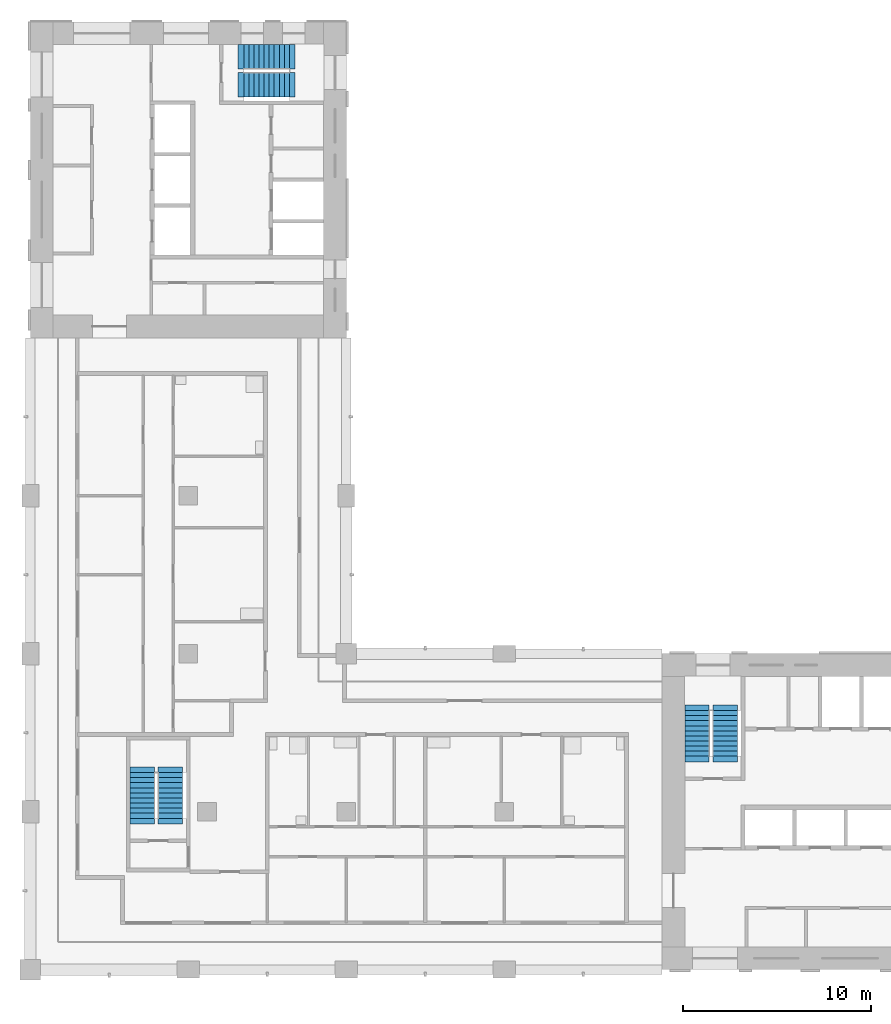
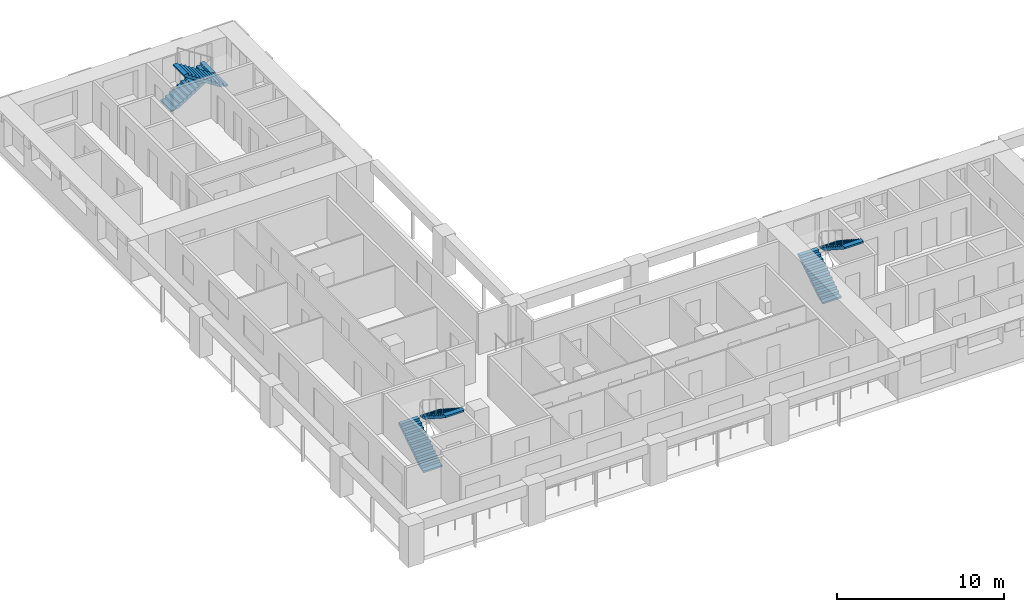
# One storey, part 7 of 11: 6 stair flights, 3 elements without a shape of their own.
"""IFC4 building model written with IfcOpenShell, lengths in metres."""

from ifc_helpers import new_model, si_unit, direction, frame, origin, place, context, subcontext, project, spatial, polyline, outline, extrude, material, type_object, element, aggregate, save


model = new_model("IFC4")

# Units and contexts
model_context = context("Model", 3, precision=1e-05, world=origin(), true_north=direction((0.0, 1.0)))
body_context = subcontext(model_context, "Body", "Model", "MODEL_VIEW")
ifc_project = project(units=[si_unit("LENGTHUNIT", "METRE"), si_unit("AREAUNIT", "SQUARE_METRE"), si_unit("VOLUMEUNIT", "CUBIC_METRE"), si_unit("PLANEANGLEUNIT", "RADIAN"), si_unit("MASSUNIT", "GRAM", prefix="KILO")], contexts=[model_context])

# Site, building, storey
site_placement = place(None, origin())
site = spatial("IfcSite", under=ifc_project, at=site_placement, CompositionType="ELEMENT")
building_placement = place(site_placement, origin())
building = spatial("IfcBuilding", under=site, at=building_placement, Name="Vermilion Gate Residences", CompositionType="ELEMENT")
storey_placement = place(building_placement, frame((0.0, 0.0, 203.699951171875)))
storey = spatial("IfcBuildingStorey", under=building, at=storey_placement, Name="L53", CompositionType="ELEMENT", Elevation=203.699951171875)

# Stair, stair flights
ifc_material_1 = material(Name="Concrete C50", Category="concrete")
stair_type = type_object("IfcStairType", Name="SPECIAL ESCAPE STAIR 1300", PredefinedType="HALF_TURN_STAIR", material=ifc_material_1)
stair_1_placement = place(storey_placement, origin())
stair_1 = element("IfcStair", 1, at=stair_1_placement, inside=storey, type_object=stair_type, Name="Special escape stair STA1-53", PredefinedType="HALF_TURN_STAIR")
ifc_material_2 = material(Name="Concrete C50", Category="concrete")
stair_flight_type = type_object("IfcStairFlightType", Name="STAIR FLIGHT 1300 RC C50", PredefinedType="STRAIGHT", material=ifc_material_2)
stair_flight_1_placement = place(storey_placement, frame((43.85009765625, 19.75, 0.0), z_axis=(0.0, 0.0, 1.0), x_axis=(0.0, 1.0, 0.0)))
stair_flight_1 = element("IfcStairFlight", 2, at=stair_flight_1_placement, type_object=stair_flight_type, Name="STA1-53 flight 1", NumberOfRisers=10, NumberOfTreads=9, PredefinedType="STRAIGHT", RiserHeight=0.175, TreadLength=0.27, context=body_context, shape_type="SweptSolid", body=[
    extrude(outline(polyline([(-0.300048828125, -0.14990234375), (-0.300048828125, -0.030029296875), (0.0, 0.0), (0.0, 0.175048828125), (0.27001953125, 0.175048828125), (0.27001953125, 0.35009765625), (0.5400390625, 0.35009765625), (0.5400390625, 0.52490234375), (0.81005859375, 0.52490234375), (0.81005859375, 0.699951171875), (1.080078125, 0.699951171875), (1.080078125, 0.875), (1.35009765625, 0.875), (1.35009765625, 1.050048828125), (1.6201171875, 1.050048828125), (1.6201171875, 1.22509765625), (1.889892578125, 1.22509765625), (1.889892578125, 1.39990234375), (2.159912109375, 1.39990234375), (2.159912109375, 1.574951171875), (2.429931640625, 1.574951171875), (2.429931640625, 1.75), (2.72998046875, 1.719970703125), (2.72998046875, 1.60009765625), (2.429931640625, 1.396484375), (0.275634765625, 0.0), (-0.300048828125, -0.14990234375)])), frame((0.0, 0.64990234375, 0.0), z_axis=(0.0, -1.0, 0.0), x_axis=(1.0, 0.0, 0.0)), (0.0, 0.0, 1.0), 1.300048828125),
])
stair_flight_2_placement = place(storey_placement, frame((45.35009765625, 22.179931640625, 1.75), z_axis=(0.0, 0.0, 1.0), x_axis=(0.0, -1.0, 0.0)))
stair_flight_2 = element("IfcStairFlight", 3, at=stair_flight_2_placement, type_object=stair_flight_type, Name="STA1-53 flight 2", NumberOfRisers=10, NumberOfTreads=9, PredefinedType="STRAIGHT", RiserHeight=0.175, TreadLength=0.27, context=body_context, shape_type="SweptSolid", body=[
    extrude(outline(polyline([(-0.300048828125, -0.14990234375), (-0.300048828125, -0.030029296875), (0.0, 0.0), (0.0, 0.175048828125), (0.27001953125, 0.175048828125), (0.27001953125, 0.35009765625), (0.5400390625, 0.35009765625), (0.5400390625, 0.52490234375), (0.81005859375, 0.52490234375), (0.81005859375, 0.699951171875), (1.080078125, 0.699951171875), (1.080078125, 0.875), (1.35009765625, 0.875), (1.35009765625, 1.050048828125), (1.6201171875, 1.050048828125), (1.6201171875, 1.22509765625), (1.889892578125, 1.22509765625), (1.889892578125, 1.39990234375), (2.159912109375, 1.39990234375), (2.159912109375, 1.574951171875), (2.429931640625, 1.574951171875), (2.429931640625, 1.75), (2.72998046875, 1.719970703125), (2.72998046875, 1.60009765625), (2.429931640625, 1.396484375), (0.275634765625, 0.0), (-0.300048828125, -0.14990234375)])), frame((0.0, 0.64990234375, 0.0), z_axis=(0.0, -1.0, 0.0), x_axis=(1.0, 0.0, 0.0)), (0.0, 0.0, 1.0), 1.300048828125),
])
aggregate(stair_1, [stair_flight_1, stair_flight_2])

stair_2_placement = place(storey_placement, origin())
stair_2 = element("IfcStair", 4, at=stair_2_placement, inside=storey, type_object=stair_type, Name="Special escape stair STB1-53", PredefinedType="HALF_TURN_STAIR")
stair_flight_3_placement = place(storey_placement, frame((19.75, 56.949951171875, 0.0), z_axis=(0.0, 0.0, 1.0), x_axis=(1.0, 0.0, 0.0)))
stair_flight_3 = element("IfcStairFlight", 5, at=stair_flight_3_placement, type_object=stair_flight_type, Name="STB1-53 flight 1", NumberOfRisers=10, NumberOfTreads=9, PredefinedType="STRAIGHT", RiserHeight=0.175, TreadLength=0.27, context=body_context, shape_type="SweptSolid", body=[
    extrude(outline(polyline([(-0.300048828125, -0.14990234375), (-0.300048828125, -0.030029296875), (0.0, 0.0), (0.0, 0.175048828125), (0.27001953125, 0.175048828125), (0.27001953125, 0.35009765625), (0.5400390625, 0.35009765625), (0.5400390625, 0.52490234375), (0.81005859375, 0.52490234375), (0.81005859375, 0.699951171875), (1.080078125, 0.699951171875), (1.080078125, 0.875), (1.35009765625, 0.875), (1.35009765625, 1.050048828125), (1.6201171875, 1.050048828125), (1.6201171875, 1.22509765625), (1.889892578125, 1.22509765625), (1.889892578125, 1.39990234375), (2.159912109375, 1.39990234375), (2.159912109375, 1.574951171875), (2.429931640625, 1.574951171875), (2.429931640625, 1.75), (2.72998046875, 1.719970703125), (2.72998046875, 1.60009765625), (2.429931640625, 1.396484375), (0.275634765625, 0.0), (-0.300048828125, -0.14990234375)])), frame((0.0, 0.64990234375, 0.0), z_axis=(0.0, -1.0, 0.0), x_axis=(1.0, 0.0, 0.0)), (0.0, 0.0, 1.0), 1.300048828125),
])
stair_flight_4_placement = place(storey_placement, frame((22.179931640625, 55.449951171875, 1.75), z_axis=(0.0, 0.0, 1.0), x_axis=(-1.0, 0.0, 0.0)))
stair_flight_4 = element("IfcStairFlight", 6, at=stair_flight_4_placement, type_object=stair_flight_type, Name="STB1-53 flight 2", NumberOfRisers=10, NumberOfTreads=9, PredefinedType="STRAIGHT", RiserHeight=0.175, TreadLength=0.27, context=body_context, shape_type="SweptSolid", body=[
    extrude(outline(polyline([(-0.300048828125, -0.14990234375), (-0.300048828125, -0.030029296875), (0.0, 0.0), (0.0, 0.175048828125), (0.27001953125, 0.175048828125), (0.27001953125, 0.35009765625), (0.5400390625, 0.35009765625), (0.5400390625, 0.52490234375), (0.81005859375, 0.52490234375), (0.81005859375, 0.699951171875), (1.080078125, 0.699951171875), (1.080078125, 0.875), (1.35009765625, 0.875), (1.35009765625, 1.050048828125), (1.6201171875, 1.050048828125), (1.6201171875, 1.22509765625), (1.889892578125, 1.22509765625), (1.889892578125, 1.39990234375), (2.159912109375, 1.39990234375), (2.159912109375, 1.574951171875), (2.429931640625, 1.574951171875), (2.429931640625, 1.75), (2.72998046875, 1.719970703125), (2.72998046875, 1.60009765625), (2.429931640625, 1.396484375), (0.275634765625, 0.0), (-0.300048828125, -0.14990234375)])), frame((0.0, 0.64990234375, 0.0), z_axis=(0.0, -1.0, 0.0), x_axis=(1.0, 0.0, 0.0)), (0.0, 0.0, 1.0), 1.300048828125),
])
aggregate(stair_2, [stair_flight_3, stair_flight_4])

stair_3_placement = place(storey_placement, origin())
stair_3 = element("IfcStair", 7, at=stair_3_placement, inside=storey, type_object=stair_type, Name="Special escape stair STC1-53", PredefinedType="HALF_TURN_STAIR")
stair_flight_5_placement = place(storey_placement, frame((14.35009765625, 16.449951171875, 0.0), z_axis=(0.0, 0.0, 1.0), x_axis=(0.0, 1.0, 0.0)))
stair_flight_5 = element("IfcStairFlight", 8, at=stair_flight_5_placement, type_object=stair_flight_type, Name="STC1-53 flight 1", NumberOfRisers=10, NumberOfTreads=9, PredefinedType="STRAIGHT", RiserHeight=0.175, TreadLength=0.27, context=body_context, shape_type="SweptSolid", body=[
    extrude(outline(polyline([(-0.300048828125, -0.14990234375), (-0.300048828125, -0.030029296875), (0.0, 0.0), (0.0, 0.175048828125), (0.27001953125, 0.175048828125), (0.27001953125, 0.35009765625), (0.5400390625, 0.35009765625), (0.5400390625, 0.52490234375), (0.81005859375, 0.52490234375), (0.81005859375, 0.699951171875), (1.080078125, 0.699951171875), (1.080078125, 0.875), (1.35009765625, 0.875), (1.35009765625, 1.050048828125), (1.6201171875, 1.050048828125), (1.6201171875, 1.22509765625), (1.889892578125, 1.22509765625), (1.889892578125, 1.39990234375), (2.159912109375, 1.39990234375), (2.159912109375, 1.574951171875), (2.429931640625, 1.574951171875), (2.429931640625, 1.75), (2.72998046875, 1.719970703125), (2.72998046875, 1.60009765625), (2.429931640625, 1.396484375), (0.275634765625, 0.0), (-0.300048828125, -0.14990234375)])), frame((0.0, 0.64990234375, 0.0), z_axis=(0.0, -1.0, 0.0), x_axis=(1.0, 0.0, 0.0)), (0.0, 0.0, 1.0), 1.300048828125),
])
stair_flight_6_placement = place(storey_placement, frame((15.85009765625, 18.8798828125, 1.75), z_axis=(0.0, 0.0, 1.0), x_axis=(0.0, -1.0, 0.0)))
stair_flight_6 = element("IfcStairFlight", 9, at=stair_flight_6_placement, type_object=stair_flight_type, Name="STC1-53 flight 2", NumberOfRisers=10, NumberOfTreads=9, PredefinedType="STRAIGHT", RiserHeight=0.175, TreadLength=0.27, context=body_context, shape_type="SweptSolid", body=[
    extrude(outline(polyline([(-0.300048828125, -0.14990234375), (-0.300048828125, -0.030029296875), (0.0, 0.0), (0.0, 0.175048828125), (0.27001953125, 0.175048828125), (0.27001953125, 0.35009765625), (0.5400390625, 0.35009765625), (0.5400390625, 0.52490234375), (0.81005859375, 0.52490234375), (0.81005859375, 0.699951171875), (1.080078125, 0.699951171875), (1.080078125, 0.875), (1.35009765625, 0.875), (1.35009765625, 1.050048828125), (1.6201171875, 1.050048828125), (1.6201171875, 1.22509765625), (1.889892578125, 1.22509765625), (1.889892578125, 1.39990234375), (2.159912109375, 1.39990234375), (2.159912109375, 1.574951171875), (2.429931640625, 1.574951171875), (2.429931640625, 1.75), (2.72998046875, 1.719970703125), (2.72998046875, 1.60009765625), (2.429931640625, 1.396484375), (0.275634765625, 0.0), (-0.300048828125, -0.14990234375)])), frame((0.0, 0.64990234375, 0.0), z_axis=(0.0, -1.0, 0.0), x_axis=(1.0, 0.0, 0.0)), (0.0, 0.0, 1.0), 1.300048828125),
])
aggregate(stair_3, [stair_flight_5, stair_flight_6])

save(model, "model.ifc")
